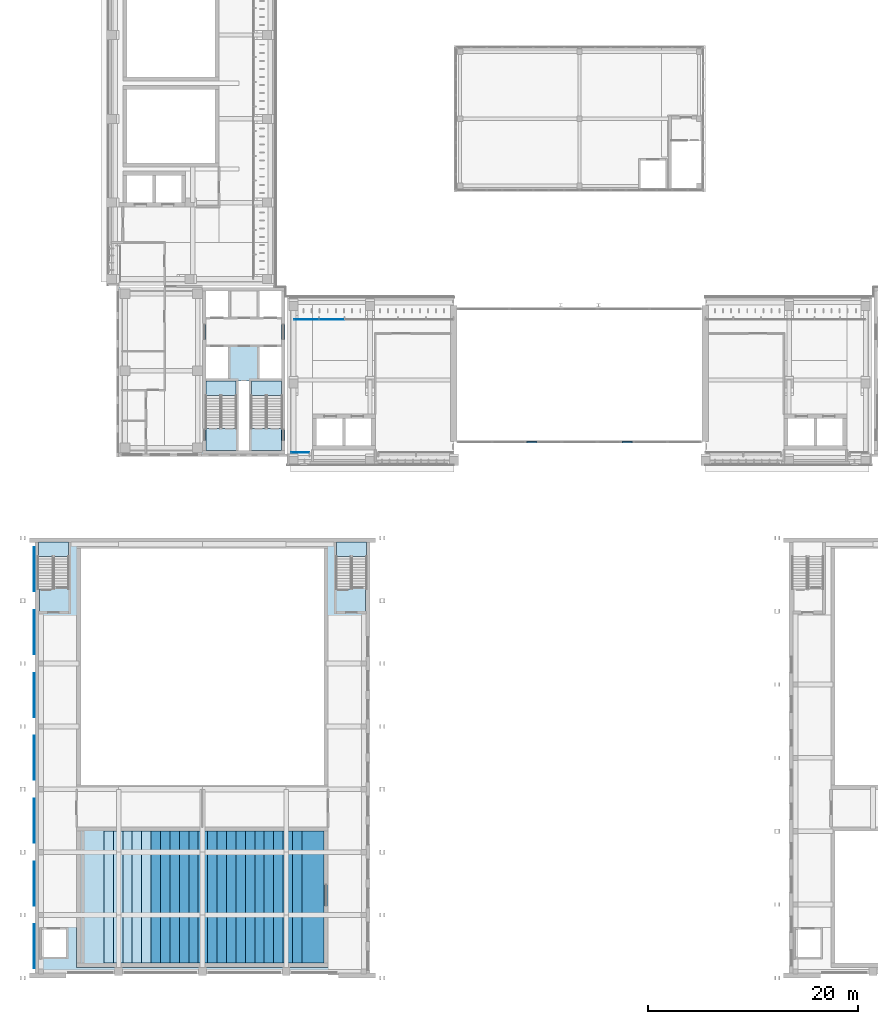
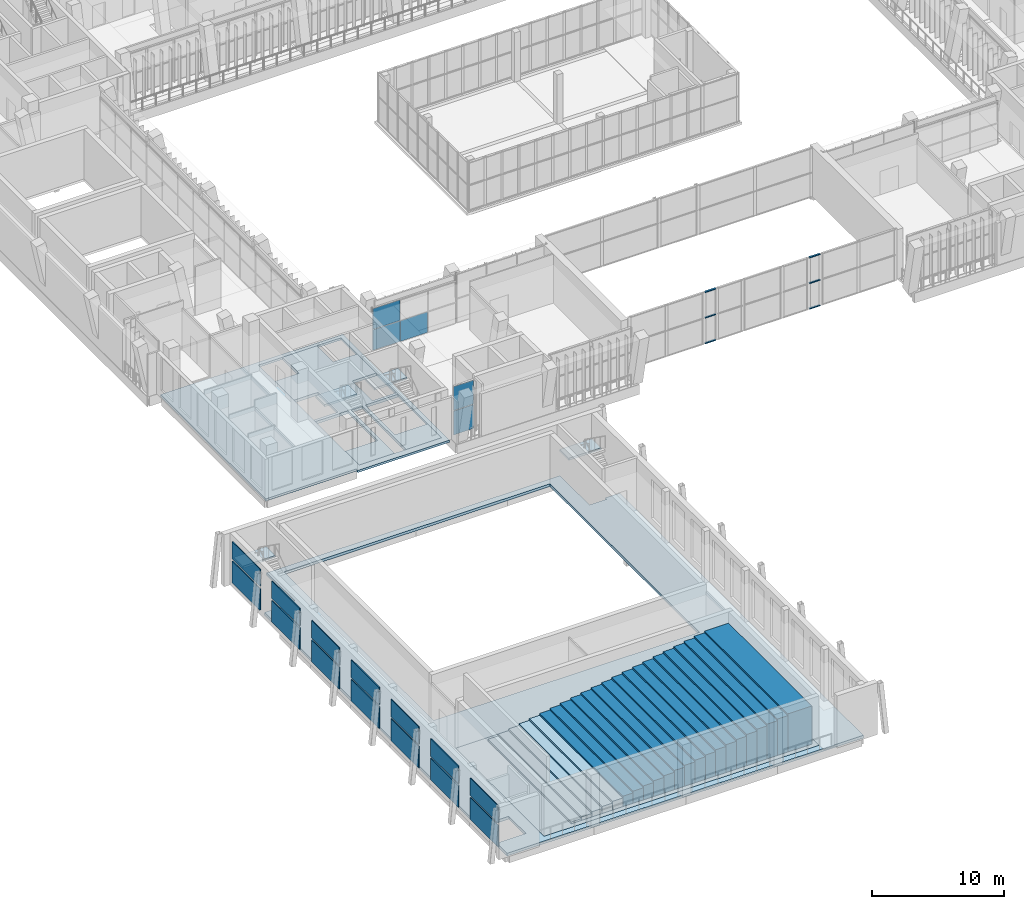
# One storey, part 51 of 92: 30 slabs, 19 plates, 6 members, 8 elements without a shape of their own.
"""IFC4 building model written with IfcOpenShell, lengths in metres."""

from ifc_helpers import new_model, si_unit, direction, frame, origin, origin_2d, place, context, subcontext, project, spatial, polyline, rectangle, outline, extrude, material, layer, layer_set, material_profile, profile_set, type_object, element, aggregate, save


model = new_model("IFC4")

# Units and contexts
model_context = context("Model", 3, precision=1e-05, world=origin(), true_north=direction((0.0, 1.0)))
body_context = subcontext(model_context, "Body", "Model", "MODEL_VIEW")
ifc_project = project(units=[si_unit("LENGTHUNIT", "METRE"), si_unit("AREAUNIT", "SQUARE_METRE"), si_unit("VOLUMEUNIT", "CUBIC_METRE"), si_unit("PLANEANGLEUNIT", "RADIAN"), si_unit("MASSUNIT", "GRAM", prefix="KILO")], contexts=[model_context])

# Site, building, storey
site_placement = place(None, origin())
site = spatial("IfcSite", under=ifc_project, at=site_placement, CompositionType="ELEMENT")
building_placement = place(site_placement, origin())
building = spatial("IfcBuilding", under=site, at=building_placement, Name="Lantern Court Media Centre", CompositionType="ELEMENT")
storey_placement = place(building_placement, frame((0.0, 0.0, 4.800048828125)))
storey = spatial("IfcBuildingStorey", under=building, at=storey_placement, Name="L01", CompositionType="ELEMENT", Elevation=4.800048828125)

# Curtain wall, members
ifc_material_1 = material(Name="Curtain wall bay 4000")
curtain_wall_type_1 = type_object("IfcCurtainWallType", Name="Curtain wall bay 4000", PredefinedType="NOTDEFINED", material=ifc_material_1)
curtain_wall_1_placement = place(storey_placement, origin())
curtain_wall_1 = element("IfcCurtainWall", 1, at=curtain_wall_1_placement, inside=storey, type_object=curtain_wall_type_1, Name="Curtain wall S outer L01", PredefinedType="NOTDEFINED")
ifc_material_2 = material(Name="Anodised aluminium", Category="aluminium")
ifc_material_profile = material_profile(ifc_material_2, rectangle(XDim=0.159912109375, YDim=0.080078125, at=origin_2d()), Name="AL 80x160")
ifc_profile_set = profile_set([ifc_material_profile], Name="Anodised aluminium")
member_type = type_object("IfcMemberType", Name="Curtain wall transom 160x80", PredefinedType="USERDEFINED", material=ifc_profile_set)
member_1_placement = place(storey_placement, frame((46.97998046875, 49.14990234375, 0.0400390625), z_axis=(1.0, 0.0, 0.0), x_axis=(0.0, 1.0, 0.0)))
member_1 = element("IfcMember", 2, at=member_1_placement, type_object=member_type, Name="CW3 transom 1.1", ObjectType="TRANSOM", PredefinedType="USERDEFINED", context=body_context, shape_type="SweptSolid", body=[
    extrude(rectangle(XDim=0.159912109375, YDim=0.080078125, at=origin_2d()), origin(), (0.0, 0.0, 1.0), 0.93994140625),
])
member_2_placement = place(storey_placement, frame((46.97998046875, 49.14990234375, 2.39990234375), z_axis=(1.0, 0.0, 0.0), x_axis=(0.0, 1.0, 0.0)))
member_2 = element("IfcMember", 3, at=member_2_placement, type_object=member_type, Name="CW3 transom 1.2", ObjectType="TRANSOM", PredefinedType="USERDEFINED", context=body_context, shape_type="SweptSolid", body=[
    extrude(rectangle(XDim=0.159912109375, YDim=0.080078125, at=origin_2d()), origin(), (0.0, 0.0, 1.0), 0.93994140625),
])
member_3_placement = place(storey_placement, frame((46.97998046875, 49.14990234375, 4.760009765625), z_axis=(1.0, 0.0, 0.0), x_axis=(0.0, 1.0, 0.0)))
member_3 = element("IfcMember", 4, at=member_3_placement, type_object=member_type, Name="CW3 transom 1.3", ObjectType="TRANSOM", PredefinedType="USERDEFINED", context=body_context, shape_type="SweptSolid", body=[
    extrude(rectangle(XDim=0.159912109375, YDim=0.080078125, at=origin_2d()), origin(), (0.0, 0.0, 1.0), 0.93994140625),
])
aggregate(curtain_wall_1, [member_1, member_2, member_3])

curtain_wall_2_placement = place(storey_placement, origin())
curtain_wall_2 = element("IfcCurtainWall", 5, at=curtain_wall_2_placement, inside=storey, type_object=curtain_wall_type_1, Name="Curtain wall S outer L01", PredefinedType="NOTDEFINED")
member_4_placement = place(storey_placement, frame((56.080078125, 49.14990234375, 0.0400390625), z_axis=(1.0, 0.0, 0.0), x_axis=(0.0, 1.0, 0.0)))
member_4 = element("IfcMember", 6, at=member_4_placement, type_object=member_type, Name="CW3 transom 1.1", ObjectType="TRANSOM", PredefinedType="USERDEFINED", context=body_context, shape_type="SweptSolid", body=[
    extrude(rectangle(XDim=0.159912109375, YDim=0.080078125, at=origin_2d()), origin(), (0.0, 0.0, 1.0), 0.93994140625),
])
member_5_placement = place(storey_placement, frame((56.080078125, 49.14990234375, 2.39990234375), z_axis=(1.0, 0.0, 0.0), x_axis=(0.0, 1.0, 0.0)))
member_5 = element("IfcMember", 7, at=member_5_placement, type_object=member_type, Name="CW3 transom 1.2", ObjectType="TRANSOM", PredefinedType="USERDEFINED", context=body_context, shape_type="SweptSolid", body=[
    extrude(rectangle(XDim=0.159912109375, YDim=0.080078125, at=origin_2d()), origin(), (0.0, 0.0, 1.0), 0.93994140625),
])
member_6_placement = place(storey_placement, frame((56.080078125, 49.14990234375, 4.760009765625), z_axis=(1.0, 0.0, 0.0), x_axis=(0.0, 1.0, 0.0)))
member_6 = element("IfcMember", 8, at=member_6_placement, type_object=member_type, Name="CW3 transom 1.3", ObjectType="TRANSOM", PredefinedType="USERDEFINED", context=body_context, shape_type="SweptSolid", body=[
    extrude(rectangle(XDim=0.159912109375, YDim=0.080078125, at=origin_2d()), origin(), (0.0, 0.0, 1.0), 0.93994140625),
])
aggregate(curtain_wall_2, [member_4, member_5, member_6])

# Slab
ifc_material_3 = material(Name="Concrete C40", Category="concrete")
ifc_layer_1 = layer(ifc_material_3, 0.25)
ifc_layer_set_1 = layer_set([ifc_layer_1], Name="Concrete C40")
slab_type_1 = type_object("IfcSlabType", Name="Core floor slab 250", PredefinedType="FLOOR", material=ifc_layer_set_1)
slab_1_placement = place(storey_placement, frame((0.0, 0.0, -0.25)))
element("IfcSlab", 9, at=slab_1_placement, inside=storey, type_object=slab_type_1, Name="L01 SW core floor", PredefinedType="FLOOR", context=body_context, shape_type="SweptSolid", body=[
    extrude(outline(polyline([(16.35009765625, 58.199951171875), (16.35009765625, 61.10009765625), (18.449951171875, 61.10009765625), (18.449951171875, 63.550048828125), (21.449951171875, 63.550048828125), (21.449951171875, 61.10009765625), (23.550048828125, 61.10009765625), (23.550048828125, 58.199951171875), (21.449951171875, 58.199951171875), (21.449951171875, 55.199951171875), (23.550048828125, 55.199951171875), (23.550048828125, 54.94970703125), (20.700439453125, 54.94970703125), (20.700439453125, 50.450439453125), (23.550048828125, 50.450439453125), (23.550048828125, 48.35009765625), (20.449951171875, 48.35009765625), (20.449951171875, 54.949951171875), (19.449951171875, 54.949951171875), (19.449951171875, 48.35009765625), (16.35009765625, 48.35009765625), (16.35009765625, 50.450439453125), (19.19970703125, 50.450439453125), (19.19970703125, 54.94970703125), (16.35009765625, 54.94970703125), (16.35009765625, 55.199951171875), (18.449951171875, 55.199951171875), (18.449951171875, 58.199951171875), (16.35009765625, 58.199951171875)])), origin(), (0.0, 0.0, 1.0), 0.25),
])

# Curtain wall, plates
ifc_material_4 = material(Name="Curtain wall bay 2400")
curtain_wall_type_2 = type_object("IfcCurtainWallType", Name="Curtain wall bay 2400", PredefinedType="NOTDEFINED", material=ifc_material_4)
curtain_wall_3_placement = place(storey_placement, origin())
curtain_wall_3 = element("IfcCurtainWall", 10, at=curtain_wall_3_placement, inside=storey, type_object=curtain_wall_type_2, Name="Curtain wall S inner L01", PredefinedType="NOTDEFINED")
ifc_material_5 = material(Name="Low-iron double glazed unit glass", Category="glass")
ifc_layer_2 = layer(ifc_material_5, 0.02392578125)
ifc_layer_set_2 = layer_set([ifc_layer_2], Name="Low-iron double glazed unit glass")
plate_type_1 = type_object("IfcPlateType", Name="Curtain wall glazing unit 24", PredefinedType="CURTAIN_PANEL", material=ifc_layer_set_2)
plate_1_placement = place(storey_placement, frame((25.92919921875, 60.85009765625, 0.050048828125), z_axis=(0.0, 0.0, 1.0), x_axis=(1.0, 0.0, 0.0)))
plate_1 = element("IfcPlate", 11, at=plate_1_placement, type_object=plate_type_1, Name="CW2 panel 1.1", PredefinedType="CURTAIN_PANEL", context=body_context, shape_type="SweptSolid", body=[
    extrude(rectangle(XDim=2.3583984375, YDim=0.02392578125, at=origin_2d()), origin(), (0.0, 0.0, 1.0), 1.89990234375),
])
plate_2_placement = place(storey_placement, frame((25.92919921875, 60.85009765625, 2.0), z_axis=(0.0, 0.0, 1.0), x_axis=(1.0, 0.0, 0.0)))
plate_2 = element("IfcPlate", 12, at=plate_2_placement, type_object=plate_type_1, Name="CW2 panel 1.2", PredefinedType="CURTAIN_PANEL", context=body_context, shape_type="SweptSolid", body=[
    extrude(rectangle(XDim=2.3583984375, YDim=0.02392578125, at=origin_2d()), origin(), (0.0, 0.0, 1.0), 1.89990234375),
])
plate_3_placement = place(storey_placement, frame((28.35009765625, 60.85009765625, 0.050048828125), z_axis=(0.0, 0.0, 1.0), x_axis=(1.0, 0.0, 0.0)))
plate_3 = element("IfcPlate", 13, at=plate_3_placement, type_object=plate_type_1, Name="CW2 panel 2.1", PredefinedType="CURTAIN_PANEL", context=body_context, shape_type="SweptSolid", body=[
    extrude(rectangle(XDim=2.38330078125, YDim=0.02392578125, at=origin_2d()), origin(), (0.0, 0.0, 1.0), 1.89990234375),
])
aggregate(curtain_wall_3, [plate_1, plate_2, plate_3])

ifc_material_6 = material(Name="Curtain wall bay 3000")
curtain_wall_type_3 = type_object("IfcCurtainWallType", Name="Curtain wall bay 3000", PredefinedType="NOTDEFINED", material=ifc_material_6)
curtain_wall_4_placement = place(storey_placement, origin())
curtain_wall_4 = element("IfcCurtainWall", 14, at=curtain_wall_4_placement, inside=storey, type_object=curtain_wall_type_3, Name="Curtain wall S outer L01", PredefinedType="NOTDEFINED")
ifc_layer_3 = layer(ifc_material_5, 0.028076171875)
ifc_layer_set_3 = layer_set([ifc_layer_3], Name="Low-iron double glazed unit glass")
plate_type_2 = type_object("IfcPlateType", Name="Curtain wall glazing unit 28", PredefinedType="CURTAIN_PANEL", material=ifc_layer_set_3)
plate_4_placement = place(storey_placement, frame((25.3349609375, 48.14990234375, 0.06005859375), z_axis=(0.0, 0.0, 1.0), x_axis=(1.0, 0.0, 0.0)))
plate_4 = element("IfcPlate", 15, at=plate_4_placement, type_object=plate_type_2, Name="CW1 panel 1.1", PredefinedType="CURTAIN_PANEL", context=body_context, shape_type="SweptSolid", body=[
    extrude(rectangle(XDim=1.7099609375, YDim=0.028076171875, at=origin_2d()), origin(), (0.0, 0.0, 1.0), 2.199951171875),
])
plate_5_placement = place(storey_placement, frame((25.3349609375, 48.14990234375, 2.31982421875), z_axis=(0.0, 0.0, 1.0), x_axis=(1.0, 0.0, 0.0)))
plate_5 = element("IfcPlate", 16, at=plate_5_placement, type_object=plate_type_2, Name="CW1 panel 1.2", PredefinedType="CURTAIN_PANEL", context=body_context, shape_type="SweptSolid", body=[
    extrude(rectangle(XDim=1.7099609375, YDim=0.028076171875, at=origin_2d()), origin(), (0.0, 0.0, 1.0), 2.199951171875),
])
aggregate(curtain_wall_4, [plate_4, plate_5])

# Slabs
ifc_material_7 = material(Name="Concrete C35", Category="concrete")
ifc_layer_4 = layer(ifc_material_7, 0.199951171875)
ifc_layer_set_4 = layer_set([ifc_layer_4], Name="Concrete C35")
slab_type_2 = type_object("IfcSlabType", Name="RC FLOOR SLAB 200", PredefinedType="FLOOR", material=ifc_layer_set_4)
slab_2_placement = place(storey_placement, frame((0.0, 0.0, -0.199951171875)))
element("IfcSlab", 17, at=slab_2_placement, inside=storey, type_object=slab_type_2, Name="SL-SW-L01", PredefinedType="FLOOR", context=body_context, shape_type="SweptSolid", body=[
    extrude(outline(polyline([(8.0, 63.89990234375), (23.89990234375, 63.89990234375), (23.89990234375, 48.0), (23.89990234375, 47.780029296875), (15.89990234375, 47.780029296875), (15.89990234375, 48.0), (8.0, 48.0), (8.0, 63.89990234375)]), holes=[polyline([(16.35009765625, 63.550048828125), (16.35009765625, 48.35009765625), (23.550048828125, 48.35009765625), (23.550048828125, 63.550048828125), (16.35009765625, 63.550048828125)])]), origin(), (0.0, 0.0, 1.0), 0.199951171875),
])
ifc_layer_5 = layer(ifc_material_7, 0.25)
ifc_layer_set_5 = layer_set([ifc_layer_5], Name="Concrete C35")
slab_type_3 = type_object("IfcSlabType", Name="RC FLOOR SLAB 250", PredefinedType="FLOOR", material=ifc_layer_set_5)
slab_3_placement = place(storey_placement, frame((0.0, 0.0, -0.25)))
element("IfcSlab", 18, at=slab_3_placement, inside=storey, type_object=slab_type_3, Name="SL-V1-L01", PredefinedType="FLOOR", context=body_context, shape_type="SweptSolid", body=[
    extrude(outline(polyline([(4.0, -1.550048828125), (0.449951171875, -1.550048828125), (0.449951171875, 35.100341796875), (1.849609375, 35.100341796875), (1.849609375, 35.30029296875), (3.19970703125, 35.30029296875), (3.19970703125, 39.550048828125), (4.0, 39.550048828125), (28.0, 39.550048828125), (28.80029296875, 39.550048828125), (28.80029296875, 35.100341796875), (30.299560546875, 35.100341796875), (30.299560546875, 35.30029296875), (31.550048828125, 35.30029296875), (31.550048828125, -1.550048828125), (28.0, -1.550048828125), (4.0, -1.550048828125)]), holes=[polyline([(4.0, -1.0), (28.0, -1.0), (28.0, 12.39990234375), (4.0, 12.39990234375), (4.0, -1.0)]), polyline([(0.60009765625, 0.0), (3.0, 0.0), (3.0, 2.60009765625), (0.60009765625, 2.60009765625), (0.60009765625, 0.0)]), polyline([(4.39990234375, 39.0), (4.39990234375, 16.39990234375), (27.60009765625, 16.39990234375), (27.60009765625, 39.0), (4.39990234375, 39.0)])]), origin(), (0.0, 0.0, 1.0), 0.25),
])
ifc_layer_6 = layer(ifc_material_7, 0.419921875)
ifc_layer_set_6 = layer_set([ifc_layer_6], Name="Concrete C35")
slab_type_4 = type_object("IfcSlabType", Name="RC FLOOR SLAB 420", PredefinedType="FLOOR", material=ifc_layer_set_6)
slab_4_placement = place(storey_placement, frame((0.0, 0.0, -0.420166015625)))
element("IfcSlab", 19, at=slab_4_placement, inside=storey, type_object=slab_type_4, Name="SL-V1-L01-D1", PredefinedType="FLOOR", context=body_context, shape_type="SweptSolid", body=[
    extrude(outline(polyline([(28.0, -1.0), (28.0, 12.39990234375), (4.0, 12.39990234375), (4.0, -1.0), (28.0, -1.0)])), origin(), (0.0, 0.0, 1.0), 0.420166015625),
])
ifc_layer_7 = layer(ifc_material_7, 0.14990234375)
ifc_layer_set_7 = layer_set([ifc_layer_7], Name="Concrete C35")
slab_type_5 = type_object("IfcSlabType", Name="Seating tier", PredefinedType="USERDEFINED", material=ifc_layer_set_7)
slab_5_placement = place(storey_placement, origin())
element("IfcSlab", 20, at=slab_5_placement, inside=storey, type_object=slab_type_5, Name="Screen 2 Cinema tier 1", ObjectType="SEATING TIER", PredefinedType="USERDEFINED", context=body_context, shape_type="SweptSolid", body=[
    extrude(outline(polyline([(6.60009765625, -0.60009765625), (7.5, -0.60009765625), (7.5, 12.0), (6.60009765625, 12.0), (6.60009765625, -0.60009765625)])), origin(), (0.0, 0.0, 1.0), 0.159912109375),
])
slab_6_placement = place(storey_placement, origin())
element("IfcSlab", 21, at=slab_6_placement, inside=storey, type_object=slab_type_5, Name="Screen 2 Cinema tier 2", ObjectType="SEATING TIER", PredefinedType="USERDEFINED", context=body_context, shape_type="SweptSolid", body=[
    extrude(outline(polyline([(7.5, -0.60009765625), (8.39990234375, -0.60009765625), (8.39990234375, 12.0), (7.5, 12.0), (7.5, -0.60009765625)])), origin(), (0.0, 0.0, 1.0), 0.320068359375),
])
slab_7_placement = place(storey_placement, origin())
element("IfcSlab", 22, at=slab_7_placement, inside=storey, type_object=slab_type_5, Name="Screen 2 Cinema tier 3", ObjectType="SEATING TIER", PredefinedType="USERDEFINED", context=body_context, shape_type="SweptSolid", body=[
    extrude(outline(polyline([(8.39990234375, -0.60009765625), (9.300048828125, -0.60009765625), (9.300048828125, 12.0), (8.39990234375, 12.0), (8.39990234375, -0.60009765625)])), origin(), (0.0, 0.0, 1.0), 0.47998046875),
])
slab_8_placement = place(storey_placement, origin())
element("IfcSlab", 23, at=slab_8_placement, inside=storey, type_object=slab_type_5, Name="Screen 2 Cinema tier 4", ObjectType="SEATING TIER", PredefinedType="USERDEFINED", context=body_context, shape_type="SweptSolid", body=[
    extrude(outline(polyline([(9.300048828125, -0.60009765625), (10.199951171875, -0.60009765625), (10.199951171875, 12.0), (9.300048828125, 12.0), (9.300048828125, -0.60009765625)])), origin(), (0.0, 0.0, 1.0), 0.639892578125),
])
slab_9_placement = place(storey_placement, origin())
element("IfcSlab", 24, at=slab_9_placement, inside=storey, type_object=slab_type_5, Name="Screen 2 Cinema tier 5", ObjectType="SEATING TIER", PredefinedType="USERDEFINED", context=body_context, shape_type="SweptSolid", body=[
    extrude(outline(polyline([(10.199951171875, -0.60009765625), (11.10009765625, -0.60009765625), (11.10009765625, 12.0), (10.199951171875, 12.0), (10.199951171875, -0.60009765625)])), origin(), (0.0, 0.0, 1.0), 0.800048828125),
])
slab_10_placement = place(storey_placement, origin())
element("IfcSlab", 25, at=slab_10_placement, inside=storey, type_object=slab_type_5, Name="Screen 2 Cinema tier 6", ObjectType="SEATING TIER", PredefinedType="USERDEFINED", context=body_context, shape_type="SweptSolid", body=[
    extrude(outline(polyline([(11.10009765625, -0.60009765625), (12.0, -0.60009765625), (12.0, 12.0), (11.10009765625, 12.0), (11.10009765625, -0.60009765625)])), origin(), (0.0, 0.0, 1.0), 0.9599609375),
])
slab_11_placement = place(storey_placement, origin())
element("IfcSlab", 26, at=slab_11_placement, inside=storey, type_object=slab_type_5, Name="Screen 2 Cinema tier 7", ObjectType="SEATING TIER", PredefinedType="USERDEFINED", context=body_context, shape_type="SweptSolid", body=[
    extrude(outline(polyline([(12.0, -0.60009765625), (12.89990234375, -0.60009765625), (12.89990234375, 12.0), (12.0, 12.0), (12.0, -0.60009765625)])), origin(), (0.0, 0.0, 1.0), 1.119873046875),
])
slab_12_placement = place(storey_placement, origin())
element("IfcSlab", 27, at=slab_12_placement, inside=storey, type_object=slab_type_5, Name="Screen 2 Cinema tier 8", ObjectType="SEATING TIER", PredefinedType="USERDEFINED", context=body_context, shape_type="SweptSolid", body=[
    extrude(outline(polyline([(12.89990234375, -0.60009765625), (13.800048828125, -0.60009765625), (13.800048828125, 12.0), (12.89990234375, 12.0), (12.89990234375, -0.60009765625)])), origin(), (0.0, 0.0, 1.0), 1.280029296875),
])
slab_13_placement = place(storey_placement, origin())
element("IfcSlab", 28, at=slab_13_placement, inside=storey, type_object=slab_type_5, Name="Screen 2 Cinema tier 9", ObjectType="SEATING TIER", PredefinedType="USERDEFINED", context=body_context, shape_type="SweptSolid", body=[
    extrude(outline(polyline([(13.800048828125, -0.60009765625), (14.699951171875, -0.60009765625), (14.699951171875, 12.0), (13.800048828125, 12.0), (13.800048828125, -0.60009765625)])), origin(), (0.0, 0.0, 1.0), 1.43994140625),
])
slab_14_placement = place(storey_placement, origin())
element("IfcSlab", 29, at=slab_14_placement, inside=storey, type_object=slab_type_5, Name="Screen 2 Cinema tier 10", ObjectType="SEATING TIER", PredefinedType="USERDEFINED", context=body_context, shape_type="SweptSolid", body=[
    extrude(outline(polyline([(14.699951171875, -0.60009765625), (15.60009765625, -0.60009765625), (15.60009765625, 12.0), (14.699951171875, 12.0), (14.699951171875, -0.60009765625)])), origin(), (0.0, 0.0, 1.0), 1.599853515625),
])
slab_15_placement = place(storey_placement, origin())
element("IfcSlab", 30, at=slab_15_placement, inside=storey, type_object=slab_type_5, Name="Screen 2 Cinema tier 11", ObjectType="SEATING TIER", PredefinedType="USERDEFINED", context=body_context, shape_type="SweptSolid", body=[
    extrude(outline(polyline([(15.60009765625, -0.60009765625), (16.5, -0.60009765625), (16.5, 12.0), (15.60009765625, 12.0), (15.60009765625, -0.60009765625)])), origin(), (0.0, 0.0, 1.0), 1.760009765625),
])
slab_16_placement = place(storey_placement, origin())
element("IfcSlab", 31, at=slab_16_placement, inside=storey, type_object=slab_type_5, Name="Screen 2 Cinema tier 12", ObjectType="SEATING TIER", PredefinedType="USERDEFINED", context=body_context, shape_type="SweptSolid", body=[
    extrude(outline(polyline([(16.5, -0.60009765625), (17.39990234375, -0.60009765625), (17.39990234375, 12.0), (16.5, 12.0), (16.5, -0.60009765625)])), origin(), (0.0, 0.0, 1.0), 1.919921875),
])
slab_17_placement = place(storey_placement, origin())
element("IfcSlab", 32, at=slab_17_placement, inside=storey, type_object=slab_type_5, Name="Screen 2 Cinema tier 13", ObjectType="SEATING TIER", PredefinedType="USERDEFINED", context=body_context, shape_type="SweptSolid", body=[
    extrude(outline(polyline([(17.39990234375, -0.60009765625), (18.300048828125, -0.60009765625), (18.300048828125, 12.0), (17.39990234375, 12.0), (17.39990234375, -0.60009765625)])), origin(), (0.0, 0.0, 1.0), 2.079833984375),
])
slab_18_placement = place(storey_placement, origin())
element("IfcSlab", 33, at=slab_18_placement, inside=storey, type_object=slab_type_5, Name="Screen 2 Cinema tier 14", ObjectType="SEATING TIER", PredefinedType="USERDEFINED", context=body_context, shape_type="SweptSolid", body=[
    extrude(outline(polyline([(18.300048828125, -0.60009765625), (19.199951171875, -0.60009765625), (19.199951171875, 12.0), (18.300048828125, 12.0), (18.300048828125, -0.60009765625)])), origin(), (0.0, 0.0, 1.0), 2.239990234375),
])
slab_19_placement = place(storey_placement, origin())
element("IfcSlab", 34, at=slab_19_placement, inside=storey, type_object=slab_type_5, Name="Screen 2 Cinema tier 15", ObjectType="SEATING TIER", PredefinedType="USERDEFINED", context=body_context, shape_type="SweptSolid", body=[
    extrude(outline(polyline([(19.199951171875, -0.60009765625), (20.10009765625, -0.60009765625), (20.10009765625, 12.0), (19.199951171875, 12.0), (19.199951171875, -0.60009765625)])), origin(), (0.0, 0.0, 1.0), 2.39990234375),
])
slab_20_placement = place(storey_placement, origin())
element("IfcSlab", 35, at=slab_20_placement, inside=storey, type_object=slab_type_5, Name="Screen 2 Cinema tier 16", ObjectType="SEATING TIER", PredefinedType="USERDEFINED", context=body_context, shape_type="SweptSolid", body=[
    extrude(outline(polyline([(20.10009765625, -0.60009765625), (21.0, -0.60009765625), (21.0, 12.0), (20.10009765625, 12.0), (20.10009765625, -0.60009765625)])), origin(), (0.0, 0.0, 1.0), 2.56005859375),
])
slab_21_placement = place(storey_placement, origin())
element("IfcSlab", 36, at=slab_21_placement, inside=storey, type_object=slab_type_5, Name="Screen 2 Cinema tier 17", ObjectType="SEATING TIER", PredefinedType="USERDEFINED", context=body_context, shape_type="SweptSolid", body=[
    extrude(outline(polyline([(21.0, -0.60009765625), (21.89990234375, -0.60009765625), (21.89990234375, 12.0), (21.0, 12.0), (21.0, -0.60009765625)])), origin(), (0.0, 0.0, 1.0), 2.719970703125),
])
slab_22_placement = place(storey_placement, origin())
element("IfcSlab", 37, at=slab_22_placement, inside=storey, type_object=slab_type_5, Name="Screen 2 Cinema tier 18", ObjectType="SEATING TIER", PredefinedType="USERDEFINED", context=body_context, shape_type="SweptSolid", body=[
    extrude(outline(polyline([(21.89990234375, -0.60009765625), (22.800048828125, -0.60009765625), (22.800048828125, 12.0), (21.89990234375, 12.0), (21.89990234375, -0.60009765625)])), origin(), (0.0, 0.0, 1.0), 2.8798828125),
])
slab_23_placement = place(storey_placement, origin())
element("IfcSlab", 38, at=slab_23_placement, inside=storey, type_object=slab_type_5, Name="Screen 2 Cinema tier 19", ObjectType="SEATING TIER", PredefinedType="USERDEFINED", context=body_context, shape_type="SweptSolid", body=[
    extrude(outline(polyline([(22.800048828125, -0.60009765625), (23.699951171875, -0.60009765625), (23.699951171875, 12.0), (22.800048828125, 12.0), (22.800048828125, -0.60009765625)])), origin(), (0.0, 0.0, 1.0), 3.0400390625),
])
slab_24_placement = place(storey_placement, origin())
element("IfcSlab", 39, at=slab_24_placement, inside=storey, type_object=slab_type_5, Name="Screen 2 Cinema tier 20", ObjectType="SEATING TIER", PredefinedType="USERDEFINED", context=body_context, shape_type="SweptSolid", body=[
    extrude(outline(polyline([(23.699951171875, -0.60009765625), (24.60009765625, -0.60009765625), (24.60009765625, 12.0), (23.699951171875, 12.0), (23.699951171875, -0.60009765625)])), origin(), (0.0, 0.0, 1.0), 3.199951171875),
])
slab_25_placement = place(storey_placement, origin())
element("IfcSlab", 40, at=slab_25_placement, inside=storey, type_object=slab_type_5, Name="Screen 2 Cinema tier 21", ObjectType="SEATING TIER", PredefinedType="USERDEFINED", context=body_context, shape_type="SweptSolid", body=[
    extrude(outline(polyline([(24.60009765625, -0.60009765625), (25.5, -0.60009765625), (25.5, 12.0), (24.60009765625, 12.0), (24.60009765625, -0.60009765625)])), origin(), (0.0, 0.0, 1.0), 3.35986328125),
])
slab_26_placement = place(storey_placement, origin())
element("IfcSlab", 41, at=slab_26_placement, inside=storey, type_object=slab_type_5, Name="Screen 2 Cinema tier 22", ObjectType="SEATING TIER", PredefinedType="USERDEFINED", context=body_context, shape_type="SweptSolid", body=[
    extrude(outline(polyline([(25.5, -0.60009765625), (27.60009765625, -0.60009765625), (27.60009765625, 12.0), (25.5, 12.0), (25.5, -0.60009765625)])), origin(), (0.0, 0.0, 1.0), 3.52001953125),
])

# Stair, slab
stair_type = type_object("IfcStairType", Name="Exit stair 1350", PredefinedType="HALF_TURN_STAIR", material=ifc_material_3)
stair_1_placement = place(storey_placement, origin())
stair_1 = element("IfcStair", 42, at=stair_1_placement, inside=storey, type_object=stair_type, Name="L01 SW exit stair A", PredefinedType="HALF_TURN_STAIR")
ifc_layer_8 = layer(ifc_material_3, 0.199951171875)
ifc_layer_set_8 = layer_set([ifc_layer_8], Name="Concrete C40")
slab_type_6 = type_object("IfcSlabType", Name="Stair landing RC 200", PredefinedType="LANDING", material=ifc_layer_set_8)
slab_27_placement = place(storey_placement, frame((0.0, 0.0, 2.199951171875)))
slab_27 = element("IfcSlab", 43, at=slab_27_placement, type_object=slab_type_6, Name="ST-SWA landing 1", PredefinedType="LANDING", context=body_context, shape_type="SweptSolid", body=[
    extrude(outline(polyline([(19.199951171875, 53.570068359375), (19.199951171875, 54.949951171875), (16.35009765625, 54.949951171875), (16.35009765625, 53.570068359375), (19.199951171875, 53.570068359375)])), origin(), (0.0, 0.0, 1.0), 0.199951171875),
])
aggregate(stair_1, [slab_27])

stair_2_placement = place(storey_placement, origin())
stair_2 = element("IfcStair", 44, at=stair_2_placement, inside=storey, type_object=stair_type, Name="L01 SW exit stair B", PredefinedType="HALF_TURN_STAIR")
slab_28_placement = place(storey_placement, frame((0.0, 0.0, 2.199951171875)))
slab_28 = element("IfcSlab", 45, at=slab_28_placement, type_object=slab_type_6, Name="ST-SWB landing 1", PredefinedType="LANDING", context=body_context, shape_type="SweptSolid", body=[
    extrude(outline(polyline([(23.550048828125, 53.570068359375), (23.550048828125, 54.949951171875), (20.699951171875, 54.949951171875), (20.699951171875, 53.570068359375), (23.550048828125, 53.570068359375)])), origin(), (0.0, 0.0, 1.0), 0.199951171875),
])
aggregate(stair_2, [slab_28])

stair_3_placement = place(storey_placement, origin())
stair_3 = element("IfcStair", 46, at=stair_3_placement, inside=storey, type_object=stair_type, Name="L01 V1-ST-W exit stair", PredefinedType="HALF_TURN_STAIR")
slab_29_placement = place(storey_placement, frame((0.0, 0.0, 2.199951171875)))
slab_29 = element("IfcSlab", 47, at=slab_29_placement, type_object=slab_type_6, Name="ST-V1-ST-W landing 1", PredefinedType="LANDING", context=body_context, shape_type="SweptSolid", body=[
    extrude(outline(polyline([(3.199951171875, 38.219970703125), (3.199951171875, 39.60009765625), (0.35009765625, 39.60009765625), (0.35009765625, 38.219970703125), (3.199951171875, 38.219970703125)])), origin(), (0.0, 0.0, 1.0), 0.199951171875),
])
aggregate(stair_3, [slab_29])

stair_4_placement = place(storey_placement, origin())
stair_4 = element("IfcStair", 48, at=stair_4_placement, inside=storey, type_object=stair_type, Name="L01 V1-ST-E exit stair", PredefinedType="HALF_TURN_STAIR")
slab_30_placement = place(storey_placement, frame((0.0, 0.0, 2.199951171875)))
slab_30 = element("IfcSlab", 49, at=slab_30_placement, type_object=slab_type_6, Name="ST-V1-ST-E landing 1", PredefinedType="LANDING", context=body_context, shape_type="SweptSolid", body=[
    extrude(outline(polyline([(31.64990234375, 38.219970703125), (31.64990234375, 39.60009765625), (28.800048828125, 39.60009765625), (28.800048828125, 38.219970703125), (31.64990234375, 38.219970703125)])), origin(), (0.0, 0.0, 1.0), 0.199951171875),
])
aggregate(stair_4, [slab_30])

# Plates
ifc_material_8 = material(Name="Limestone cladding", Category="masonry")
ifc_layer_9 = layer(ifc_material_8, 0.080078125)
ifc_layer_set_9 = layer_set([ifc_layer_9], Name="Limestone cladding")
plate_type_3 = type_object("IfcPlateType", Name="Stone relief panel", PredefinedType="SHEET", material=ifc_layer_set_9)
plate_6_placement = place(storey_placement, frame((-0.0400390625, 1.0, 0.5), z_axis=(0.0, 0.0, 1.0), x_axis=(1.0, 0.0, 0.0)))
element("IfcPlate", 50, at=plate_6_placement, inside=storey, type_object=plate_type_3, Name="Cinema Hall street face relief panel", PredefinedType="SHEET", context=body_context, shape_type="SweptSolid", body=[
    extrude(rectangle(XDim=0.080078125, YDim=4.199951171875, at=origin_2d()), origin(), (0.0, 0.0, 1.0), 2.0),
])
plate_7_placement = place(storey_placement, frame((-0.0400390625, 1.0, 2.699951171875), z_axis=(0.0, 0.0, 1.0), x_axis=(1.0, 0.0, 0.0)))
element("IfcPlate", 51, at=plate_7_placement, inside=storey, type_object=plate_type_3, Name="Cinema Hall street face relief panel", PredefinedType="SHEET", context=body_context, shape_type="SweptSolid", body=[
    extrude(rectangle(XDim=0.080078125, YDim=4.199951171875, at=origin_2d()), origin(), (0.0, 0.0, 1.0), 1.60009765625),
])
plate_8_placement = place(storey_placement, frame((-0.0400390625, 7.0, 0.5), z_axis=(0.0, 0.0, 1.0), x_axis=(1.0, 0.0, 0.0)))
element("IfcPlate", 52, at=plate_8_placement, inside=storey, type_object=plate_type_3, Name="Cinema Hall street face relief panel", PredefinedType="SHEET", context=body_context, shape_type="SweptSolid", body=[
    extrude(rectangle(XDim=0.080078125, YDim=4.199951171875, at=origin_2d()), origin(), (0.0, 0.0, 1.0), 2.0),
])
plate_9_placement = place(storey_placement, frame((-0.0400390625, 7.0, 2.699951171875), z_axis=(0.0, 0.0, 1.0), x_axis=(1.0, 0.0, 0.0)))
element("IfcPlate", 53, at=plate_9_placement, inside=storey, type_object=plate_type_3, Name="Cinema Hall street face relief panel", PredefinedType="SHEET", context=body_context, shape_type="SweptSolid", body=[
    extrude(rectangle(XDim=0.080078125, YDim=4.199951171875, at=origin_2d()), origin(), (0.0, 0.0, 1.0), 1.60009765625),
])
plate_10_placement = place(storey_placement, frame((-0.0400390625, 13.0, 0.5), z_axis=(0.0, 0.0, 1.0), x_axis=(1.0, 0.0, 0.0)))
element("IfcPlate", 54, at=plate_10_placement, inside=storey, type_object=plate_type_3, Name="Cinema Hall street face relief panel", PredefinedType="SHEET", context=body_context, shape_type="SweptSolid", body=[
    extrude(rectangle(XDim=0.080078125, YDim=4.199951171875, at=origin_2d()), origin(), (0.0, 0.0, 1.0), 2.0),
])
plate_11_placement = place(storey_placement, frame((-0.0400390625, 13.0, 2.699951171875), z_axis=(0.0, 0.0, 1.0), x_axis=(1.0, 0.0, 0.0)))
element("IfcPlate", 55, at=plate_11_placement, inside=storey, type_object=plate_type_3, Name="Cinema Hall street face relief panel", PredefinedType="SHEET", context=body_context, shape_type="SweptSolid", body=[
    extrude(rectangle(XDim=0.080078125, YDim=4.199951171875, at=origin_2d()), origin(), (0.0, 0.0, 1.0), 1.60009765625),
])
plate_12_placement = place(storey_placement, frame((-0.0400390625, 19.0, 0.5), z_axis=(0.0, 0.0, 1.0), x_axis=(1.0, 0.0, 0.0)))
element("IfcPlate", 56, at=plate_12_placement, inside=storey, type_object=plate_type_3, Name="Cinema Hall street face relief panel", PredefinedType="SHEET", context=body_context, shape_type="SweptSolid", body=[
    extrude(rectangle(XDim=0.080078125, YDim=4.199951171875, at=origin_2d()), origin(), (0.0, 0.0, 1.0), 2.0),
])
plate_13_placement = place(storey_placement, frame((-0.0400390625, 19.0, 2.699951171875), z_axis=(0.0, 0.0, 1.0), x_axis=(1.0, 0.0, 0.0)))
element("IfcPlate", 57, at=plate_13_placement, inside=storey, type_object=plate_type_3, Name="Cinema Hall street face relief panel", PredefinedType="SHEET", context=body_context, shape_type="SweptSolid", body=[
    extrude(rectangle(XDim=0.080078125, YDim=4.199951171875, at=origin_2d()), origin(), (0.0, 0.0, 1.0), 1.60009765625),
])
plate_14_placement = place(storey_placement, frame((-0.0400390625, 25.0, 0.5), z_axis=(0.0, 0.0, 1.0), x_axis=(1.0, 0.0, 0.0)))
element("IfcPlate", 58, at=plate_14_placement, inside=storey, type_object=plate_type_3, Name="Cinema Hall street face relief panel", PredefinedType="SHEET", context=body_context, shape_type="SweptSolid", body=[
    extrude(rectangle(XDim=0.080078125, YDim=4.199951171875, at=origin_2d()), origin(), (0.0, 0.0, 1.0), 2.0),
])
plate_15_placement = place(storey_placement, frame((-0.0400390625, 25.0, 2.699951171875), z_axis=(0.0, 0.0, 1.0), x_axis=(1.0, 0.0, 0.0)))
element("IfcPlate", 59, at=plate_15_placement, inside=storey, type_object=plate_type_3, Name="Cinema Hall street face relief panel", PredefinedType="SHEET", context=body_context, shape_type="SweptSolid", body=[
    extrude(rectangle(XDim=0.080078125, YDim=4.199951171875, at=origin_2d()), origin(), (0.0, 0.0, 1.0), 1.60009765625),
])
plate_16_placement = place(storey_placement, frame((-0.0400390625, 31.0, 0.5), z_axis=(0.0, 0.0, 1.0), x_axis=(1.0, 0.0, 0.0)))
element("IfcPlate", 60, at=plate_16_placement, inside=storey, type_object=plate_type_3, Name="Cinema Hall street face relief panel", PredefinedType="SHEET", context=body_context, shape_type="SweptSolid", body=[
    extrude(rectangle(XDim=0.080078125, YDim=4.199951171875, at=origin_2d()), origin(), (0.0, 0.0, 1.0), 2.0),
])
plate_17_placement = place(storey_placement, frame((-0.0400390625, 31.0, 2.699951171875), z_axis=(0.0, 0.0, 1.0), x_axis=(1.0, 0.0, 0.0)))
element("IfcPlate", 61, at=plate_17_placement, inside=storey, type_object=plate_type_3, Name="Cinema Hall street face relief panel", PredefinedType="SHEET", context=body_context, shape_type="SweptSolid", body=[
    extrude(rectangle(XDim=0.080078125, YDim=4.199951171875, at=origin_2d()), origin(), (0.0, 0.0, 1.0), 1.60009765625),
])
plate_18_placement = place(storey_placement, frame((-0.0400390625, 37.0, 0.5), z_axis=(0.0, 0.0, 1.0), x_axis=(1.0, 0.0, 0.0)))
element("IfcPlate", 62, at=plate_18_placement, inside=storey, type_object=plate_type_3, Name="Cinema Hall street face relief panel", PredefinedType="SHEET", context=body_context, shape_type="SweptSolid", body=[
    extrude(rectangle(XDim=0.080078125, YDim=4.199951171875, at=origin_2d()), origin(), (0.0, 0.0, 1.0), 2.0),
])
plate_19_placement = place(storey_placement, frame((-0.0400390625, 37.0, 2.699951171875), z_axis=(0.0, 0.0, 1.0), x_axis=(1.0, 0.0, 0.0)))
element("IfcPlate", 63, at=plate_19_placement, inside=storey, type_object=plate_type_3, Name="Cinema Hall street face relief panel", PredefinedType="SHEET", context=body_context, shape_type="SweptSolid", body=[
    extrude(rectangle(XDim=0.080078125, YDim=4.199951171875, at=origin_2d()), origin(), (0.0, 0.0, 1.0), 1.60009765625),
])

save(model, "model.ifc")
